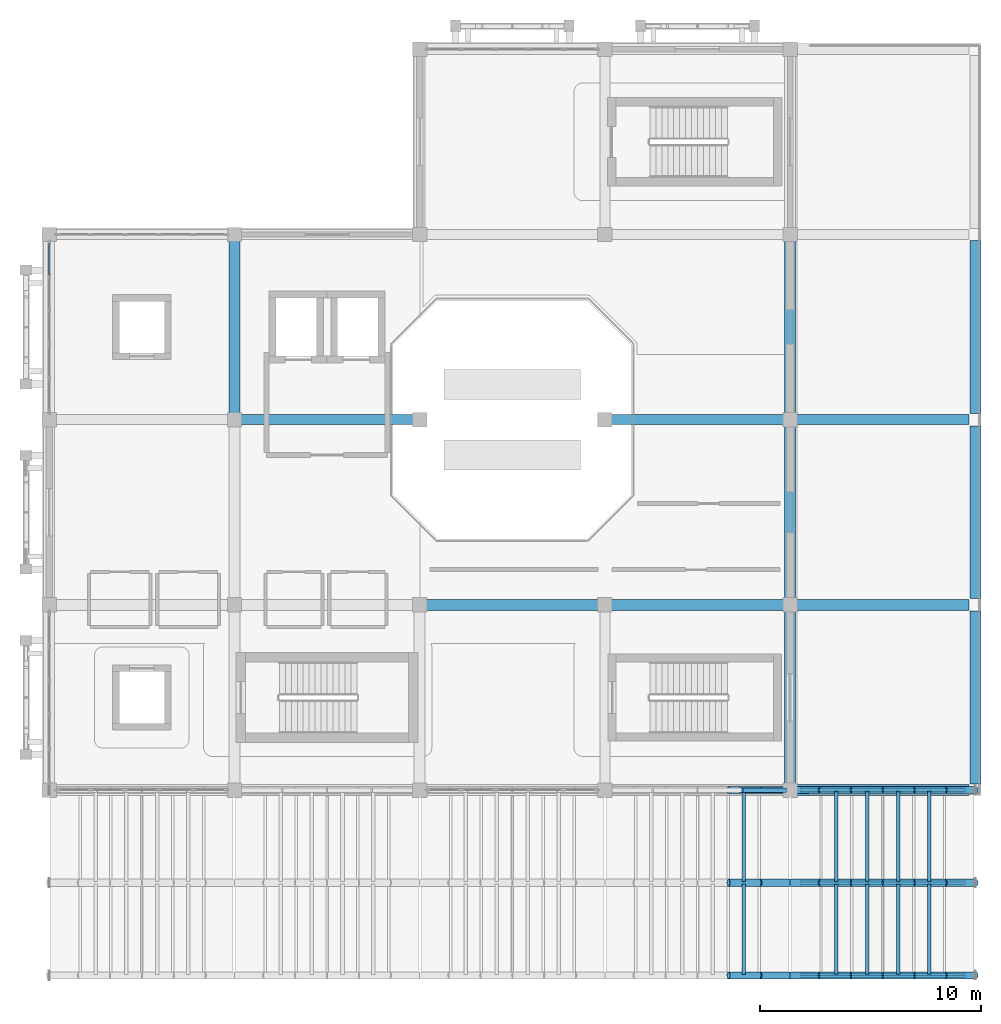
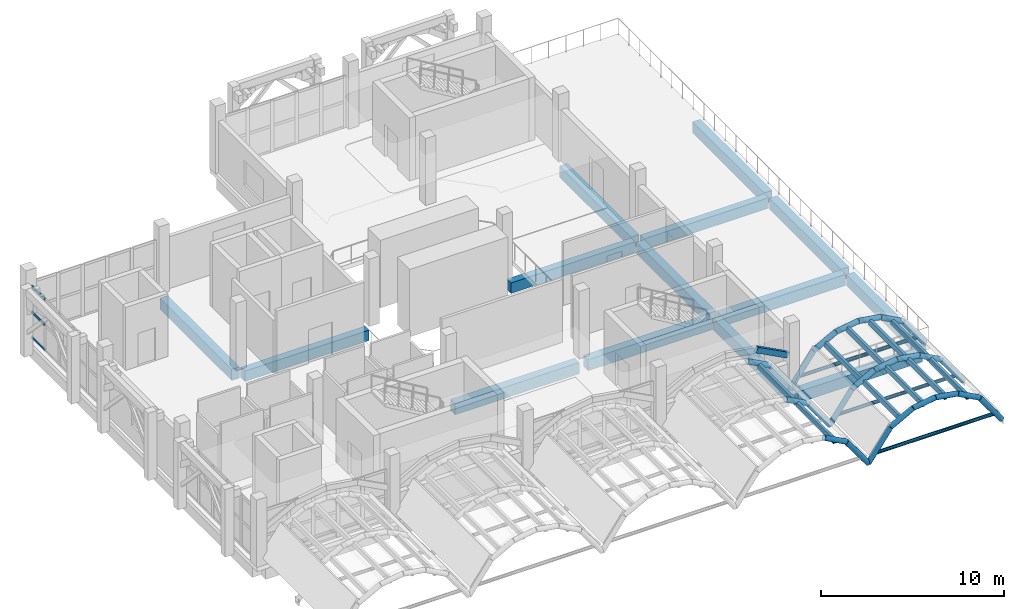
# One storey, part 8 of 22: 41 beams, 14 members, 1 element without a shape of its own.
"""IFC4 building model written with IfcOpenShell, lengths in metres."""

from ifc_helpers import new_model, si_unit, direction, frame, origin, origin_2d, place, context, subcontext, project, spatial, rectangle, hollow_rectangle, hollow_circle, extrude, material, layer, layer_set, material_profile, profile_set, type_object, element, aggregate, save


model = new_model("IFC4")

# Units and contexts
model_context = context("Model", 3, precision=1e-05, world=origin(), true_north=direction((0.0, 1.0)))
body_context = subcontext(model_context, "Body", "Model", "MODEL_VIEW")
ifc_project = project(units=[si_unit("LENGTHUNIT", "METRE"), si_unit("AREAUNIT", "SQUARE_METRE"), si_unit("VOLUMEUNIT", "CUBIC_METRE"), si_unit("PLANEANGLEUNIT", "RADIAN"), si_unit("MASSUNIT", "GRAM", prefix="KILO")], contexts=[model_context])

# Site, building, storey
site_placement = place(None, origin())
site = spatial("IfcSite", under=ifc_project, at=site_placement, CompositionType="ELEMENT")
building_placement = place(site_placement, origin())
building = spatial("IfcBuilding", under=site, at=building_placement, Name="Xazarin Passage Department Store", CompositionType="ELEMENT")
storey_placement = place(building_placement, frame((0.0, 0.0, 27.89990234375)))
storey = spatial("IfcBuildingStorey", under=building, at=storey_placement, Name="L06", CompositionType="ELEMENT", Elevation=27.89990234375)

# Curtain wall, members
ifc_material_1 = material(Name="Bronze anodised aluminium", Category="aluminium")
ifc_layer = layer(ifc_material_1, 0.199951171875)
ifc_layer_set = layer_set([ifc_layer], Name="Bronze anodised aluminium")
curtain_wall_type = type_object("IfcCurtainWallType", Name="ARC-CW-VIT2", PredefinedType="NOTDEFINED", material=ifc_layer_set)
curtain_wall_placement = place(storey_placement, origin())
curtain_wall = element("IfcCurtainWall", 1, at=curtain_wall_placement, inside=storey, type_object=curtain_wall_type, Name="L06 V1 Curtain Wall 090", PredefinedType="NOTDEFINED")
ifc_material_profile_1 = material_profile(ifc_material_1, hollow_rectangle(XDim=0.074951171875, YDim=0.159912109375, WallThickness=0.00439453125, at=origin_2d()), Name="ALU 75x160")
ifc_profile_set_1 = profile_set([ifc_material_profile_1], Name="Bronze anodised aluminium")
member_type_1 = type_object("IfcMemberType", Name="ARC-CWT-75x160", PredefinedType="USERDEFINED", material=ifc_profile_set_1)
member_1_placement = place(storey_placement, frame((0.0, 99.762451171875, 0.03759765625), z_axis=(0.0, 1.0, 0.0), x_axis=(-1.0, 0.0, 0.0)))
member_1 = element("IfcMember", 2, at=member_1_placement, type_object=member_type_1, Name="CW2 transom 5.1", ObjectType="TRANSOM", PredefinedType="USERDEFINED", context=body_context, shape_type="SweptSolid", body=[
    extrude(hollow_rectangle(XDim=0.074951171875, YDim=0.159912109375, WallThickness=0.00439453125, at=origin_2d()), origin(), (0.0, 0.0, 1.0), 1.4375),
])
member_2_placement = place(storey_placement, frame((0.0, 99.762451171875, 1.72509765625), z_axis=(0.0, 1.0, 0.0), x_axis=(-1.0, 0.0, 0.0)))
member_2 = element("IfcMember", 3, at=member_2_placement, type_object=member_type_1, Name="CW2 transom 5.2", ObjectType="TRANSOM", PredefinedType="USERDEFINED", context=body_context, shape_type="SweptSolid", body=[
    extrude(hollow_rectangle(XDim=0.074951171875, YDim=0.159912109375, WallThickness=0.00439453125, at=origin_2d()), origin(), (0.0, 0.0, 1.0), 1.4375),
])
member_3_placement = place(storey_placement, frame((0.0, 99.762451171875, 3.41259765625), z_axis=(0.0, 1.0, 0.0), x_axis=(-1.0, 0.0, 0.0)))
member_3 = element("IfcMember", 4, at=member_3_placement, type_object=member_type_1, Name="CW2 transom 5.3", ObjectType="TRANSOM", PredefinedType="USERDEFINED", context=body_context, shape_type="SweptSolid", body=[
    extrude(hollow_rectangle(XDim=0.074951171875, YDim=0.159912109375, WallThickness=0.00439453125, at=origin_2d()), origin(), (0.0, 0.0, 1.0), 1.4375),
])
aggregate(curtain_wall, [member_1, member_2, member_3])

# Beams
ifc_material_2 = material(Name="Steel S355", Category="steel")
ifc_material_profile_2 = material_profile(ifc_material_2, hollow_circle(Radius=0.161865234375, WallThickness=0.01611328125, at=origin_2d()), Name="CHS 323.9x16")
ifc_profile_set_2 = profile_set([ifc_material_profile_2], Name="Steel S355")
beam_type_1 = type_object("IfcBeamType", Name="STR-BM-AR324", PredefinedType="BEAM", material=ifc_profile_set_2)
beam_1_placement = place(storey_placement, frame((30.800048828125, 68.0, 2.67626953125), z_axis=(0.879928493742, 0.0, -0.475106141721), x_axis=(0.0, 1.0, 0.0)))
element("IfcBeam", 5, at=beam_1_placement, inside=storey, type_object=beam_type_1, Name="L06 V1S Curved Shell Arch Rib 4.1.5", PredefinedType="BEAM", context=body_context, shape_type="SweptSolid", body=[
    extrude(hollow_circle(Radius=0.161865234375, WallThickness=0.01611328125, at=origin_2d()), origin(), (0.0, 0.0, 1.0), 1.5908203125),
])
beam_2_placement = place(storey_placement, frame((32.199951171875, 68.0, 1.92041015625), z_axis=(0.589130239798, 0.0, -0.808038093505), x_axis=(0.0, 1.0, 0.0)))
element("IfcBeam", 6, at=beam_2_placement, inside=storey, type_object=beam_type_1, Name="L06 V1S Curved Shell Arch Rib 4.1.6", PredefinedType="BEAM", context=body_context, shape_type="SweptSolid", body=[
    extrude(hollow_circle(Radius=0.161865234375, WallThickness=0.01611328125, at=origin_2d()), origin(), (0.0, 0.0, 1.0), 2.376708984375),
])
beam_3_placement = place(storey_placement, frame((30.800048828125, 72.199951171875, 2.67626953125), z_axis=(0.879928493742, 0.0, -0.475106141721), x_axis=(0.0, 1.0, 0.0)))
element("IfcBeam", 7, at=beam_3_placement, inside=storey, type_object=beam_type_1, Name="L06 V1S Curved Shell Arch Rib 4.2.5", PredefinedType="BEAM", context=body_context, shape_type="SweptSolid", body=[
    extrude(hollow_circle(Radius=0.161865234375, WallThickness=0.01611328125, at=origin_2d()), origin(), (0.0, 0.0, 1.0), 1.5908203125),
])
beam_4_placement = place(storey_placement, frame((32.199951171875, 72.199951171875, 1.92041015625), z_axis=(0.589130239798, 0.0, -0.808038093505), x_axis=(0.0, 1.0, 0.0)))
element("IfcBeam", 8, at=beam_4_placement, inside=storey, type_object=beam_type_1, Name="L06 V1S Curved Shell Arch Rib 4.2.6", PredefinedType="BEAM", context=body_context, shape_type="SweptSolid", body=[
    extrude(hollow_circle(Radius=0.161865234375, WallThickness=0.01611328125, at=origin_2d()), origin(), (0.0, 0.0, 1.0), 2.376708984375),
])
beam_5_placement = place(storey_placement, frame((30.800048828125, 76.39990234375, 2.67626953125), z_axis=(0.879928493742, 0.0, -0.475106141721), x_axis=(0.0, 1.0, 0.0)))
element("IfcBeam", 9, at=beam_5_placement, inside=storey, type_object=beam_type_1, Name="L06 V1S Curved Shell Arch Rib 4.3.5", PredefinedType="BEAM", context=body_context, shape_type="SweptSolid", body=[
    extrude(hollow_circle(Radius=0.161865234375, WallThickness=0.01611328125, at=origin_2d()), origin(), (0.0, 0.0, 1.0), 1.5908203125),
])
beam_6_placement = place(storey_placement, frame((32.199951171875, 76.39990234375, 1.92041015625), z_axis=(0.589130239798, 0.0, -0.808038093505), x_axis=(0.0, 1.0, 0.0)))
element("IfcBeam", 10, at=beam_6_placement, inside=storey, type_object=beam_type_1, Name="L06 V1S Curved Shell Arch Rib 4.3.6", PredefinedType="BEAM", context=body_context, shape_type="SweptSolid", body=[
    extrude(hollow_circle(Radius=0.161865234375, WallThickness=0.01611328125, at=origin_2d()), origin(), (0.0, 0.0, 1.0), 2.376708984375),
])
beam_7_placement = place(storey_placement, frame((33.60009765625, 68.0, 0.0), z_axis=(0.589063161662, 0.0, 0.808086995053), x_axis=(0.0, 1.0, 0.0)))
element("IfcBeam", 11, at=beam_7_placement, inside=storey, type_object=beam_type_1, Name="L06 V1S Curved Shell Arch Rib 5.1.1", PredefinedType="BEAM", context=body_context, shape_type="SweptSolid", body=[
    extrude(hollow_circle(Radius=0.161865234375, WallThickness=0.01611328125, at=origin_2d()), origin(), (0.0, 0.0, 1.0), 2.37646484375),
])
beam_8_placement = place(storey_placement, frame((35.0, 68.0, 1.92041015625), z_axis=(0.879928493742, 0.0, 0.475106141721), x_axis=(0.0, 1.0, 0.0)))
element("IfcBeam", 12, at=beam_8_placement, inside=storey, type_object=beam_type_1, Name="L06 V1S Curved Shell Arch Rib 5.1.2", PredefinedType="BEAM", context=body_context, shape_type="SweptSolid", body=[
    extrude(hollow_circle(Radius=0.161865234375, WallThickness=0.01611328125, at=origin_2d()), origin(), (0.0, 0.0, 1.0), 1.5908203125),
])
beam_9_placement = place(storey_placement, frame((36.39990234375, 68.0, 2.67626953125), z_axis=(0.987456743544, 0.0, 0.157889770502), x_axis=(0.0, 1.0, 0.0)))
element("IfcBeam", 13, at=beam_9_placement, inside=storey, type_object=beam_type_1, Name="L06 V1S Curved Shell Arch Rib 5.1.3", PredefinedType="BEAM", context=body_context, shape_type="SweptSolid", body=[
    extrude(hollow_circle(Radius=0.161865234375, WallThickness=0.01611328125, at=origin_2d()), origin(), (0.0, 0.0, 1.0), 1.41796875),
])
beam_10_placement = place(storey_placement, frame((37.800048828125, 68.0, 2.900146484375), z_axis=(0.987452450124, 0.0, -0.157916619596), x_axis=(0.0, 1.0, 0.0)))
element("IfcBeam", 14, at=beam_10_placement, inside=storey, type_object=beam_type_1, Name="L06 V1S Curved Shell Arch Rib 5.1.4", PredefinedType="BEAM", context=body_context, shape_type="SweptSolid", body=[
    extrude(hollow_circle(Radius=0.161865234375, WallThickness=0.01611328125, at=origin_2d()), origin(), (0.0, 0.0, 1.0), 1.417724609375),
])
beam_11_placement = place(storey_placement, frame((39.199951171875, 68.0, 2.67626953125), z_axis=(0.879963126177, 0.0, -0.475041994532), x_axis=(0.0, 1.0, 0.0)))
element("IfcBeam", 15, at=beam_11_placement, inside=storey, type_object=beam_type_1, Name="L06 V1S Curved Shell Arch Rib 5.1.5", PredefinedType="BEAM", context=body_context, shape_type="SweptSolid", body=[
    extrude(hollow_circle(Radius=0.161865234375, WallThickness=0.01611328125, at=origin_2d()), origin(), (0.0, 0.0, 1.0), 1.591064453125),
])
for number, where, z_axis, x_axis, name in (
    (16, (40.60009765625, 68.0, 1.92041015625), (0.589063161662, 0.0, -0.808086995053), (0.0, 1.0, 0.0), "L06 V1S Curved Shell Arch Rib 5.1.6"),
    (17, (33.60009765625, 72.199951171875, 0.0), (0.589063161662, 0.0, 0.808086995053), (0.0, 1.0, 0.0), "L06 V1S Curved Shell Arch Rib 5.2.1"),
):
    element("IfcBeam", number, at=place(storey_placement, frame(where, z_axis=z_axis, x_axis=x_axis)), inside=storey, type_object=beam_type_1, Name=name, PredefinedType="BEAM", context=body_context, shape_type="SweptSolid", body=[
        extrude(hollow_circle(Radius=0.161865234375, WallThickness=0.01611328125, at=origin_2d()), origin(), (0.0, 0.0, 1.0), 2.37646484375),
    ])
beam_12_placement = place(storey_placement, frame((35.0, 72.199951171875, 1.92041015625), z_axis=(0.879928493742, 0.0, 0.475106141721), x_axis=(0.0, 1.0, 0.0)))
element("IfcBeam", 18, at=beam_12_placement, inside=storey, type_object=beam_type_1, Name="L06 V1S Curved Shell Arch Rib 5.2.2", PredefinedType="BEAM", context=body_context, shape_type="SweptSolid", body=[
    extrude(hollow_circle(Radius=0.161865234375, WallThickness=0.01611328125, at=origin_2d()), origin(), (0.0, 0.0, 1.0), 1.5908203125),
])
beam_13_placement = place(storey_placement, frame((36.39990234375, 72.199951171875, 2.67626953125), z_axis=(0.987456743544, 0.0, 0.157889770502), x_axis=(0.0, 1.0, 0.0)))
element("IfcBeam", 19, at=beam_13_placement, inside=storey, type_object=beam_type_1, Name="L06 V1S Curved Shell Arch Rib 5.2.3", PredefinedType="BEAM", context=body_context, shape_type="SweptSolid", body=[
    extrude(hollow_circle(Radius=0.161865234375, WallThickness=0.01611328125, at=origin_2d()), origin(), (0.0, 0.0, 1.0), 1.41796875),
])
beam_14_placement = place(storey_placement, frame((37.800048828125, 72.199951171875, 2.900146484375), z_axis=(0.987452450124, 0.0, -0.157916619596), x_axis=(0.0, 1.0, 0.0)))
element("IfcBeam", 20, at=beam_14_placement, inside=storey, type_object=beam_type_1, Name="L06 V1S Curved Shell Arch Rib 5.2.4", PredefinedType="BEAM", context=body_context, shape_type="SweptSolid", body=[
    extrude(hollow_circle(Radius=0.161865234375, WallThickness=0.01611328125, at=origin_2d()), origin(), (0.0, 0.0, 1.0), 1.417724609375),
])
beam_15_placement = place(storey_placement, frame((39.199951171875, 72.199951171875, 2.67626953125), z_axis=(0.879963126177, 0.0, -0.475041994532), x_axis=(0.0, 1.0, 0.0)))
element("IfcBeam", 21, at=beam_15_placement, inside=storey, type_object=beam_type_1, Name="L06 V1S Curved Shell Arch Rib 5.2.5", PredefinedType="BEAM", context=body_context, shape_type="SweptSolid", body=[
    extrude(hollow_circle(Radius=0.161865234375, WallThickness=0.01611328125, at=origin_2d()), origin(), (0.0, 0.0, 1.0), 1.591064453125),
])
for number, where, z_axis, x_axis, name in (
    (22, (40.60009765625, 72.199951171875, 1.92041015625), (0.589063161662, 0.0, -0.808086995053), (0.0, 1.0, 0.0), "L06 V1S Curved Shell Arch Rib 5.2.6"),
    (23, (33.60009765625, 76.39990234375, 0.0), (0.589063161662, 0.0, 0.808086995053), (0.0, 1.0, 0.0), "L06 V1S Curved Shell Arch Rib 5.3.1"),
):
    element("IfcBeam", number, at=place(storey_placement, frame(where, z_axis=z_axis, x_axis=x_axis)), inside=storey, type_object=beam_type_1, Name=name, PredefinedType="BEAM", context=body_context, shape_type="SweptSolid", body=[
        extrude(hollow_circle(Radius=0.161865234375, WallThickness=0.01611328125, at=origin_2d()), origin(), (0.0, 0.0, 1.0), 2.37646484375),
    ])
beam_16_placement = place(storey_placement, frame((35.0, 76.39990234375, 1.92041015625), z_axis=(0.879928493742, 0.0, 0.475106141721), x_axis=(0.0, 1.0, 0.0)))
element("IfcBeam", 24, at=beam_16_placement, inside=storey, type_object=beam_type_1, Name="L06 V1S Curved Shell Arch Rib 5.3.2", PredefinedType="BEAM", context=body_context, shape_type="SweptSolid", body=[
    extrude(hollow_circle(Radius=0.161865234375, WallThickness=0.01611328125, at=origin_2d()), origin(), (0.0, 0.0, 1.0), 1.5908203125),
])
beam_17_placement = place(storey_placement, frame((36.39990234375, 76.39990234375, 2.67626953125), z_axis=(0.987456743544, 0.0, 0.157889770502), x_axis=(0.0, 1.0, 0.0)))
element("IfcBeam", 25, at=beam_17_placement, inside=storey, type_object=beam_type_1, Name="L06 V1S Curved Shell Arch Rib 5.3.3", PredefinedType="BEAM", context=body_context, shape_type="SweptSolid", body=[
    extrude(hollow_circle(Radius=0.161865234375, WallThickness=0.01611328125, at=origin_2d()), origin(), (0.0, 0.0, 1.0), 1.41796875),
])
beam_18_placement = place(storey_placement, frame((37.800048828125, 76.39990234375, 2.900146484375), z_axis=(0.987452450124, 0.0, -0.157916619596), x_axis=(0.0, 1.0, 0.0)))
element("IfcBeam", 26, at=beam_18_placement, inside=storey, type_object=beam_type_1, Name="L06 V1S Curved Shell Arch Rib 5.3.4", PredefinedType="BEAM", context=body_context, shape_type="SweptSolid", body=[
    extrude(hollow_circle(Radius=0.161865234375, WallThickness=0.01611328125, at=origin_2d()), origin(), (0.0, 0.0, 1.0), 1.417724609375),
])
beam_19_placement = place(storey_placement, frame((39.199951171875, 76.39990234375, 2.67626953125), z_axis=(0.879963126177, 0.0, -0.475041994532), x_axis=(0.0, 1.0, 0.0)))
element("IfcBeam", 27, at=beam_19_placement, inside=storey, type_object=beam_type_1, Name="L06 V1S Curved Shell Arch Rib 5.3.5", PredefinedType="BEAM", context=body_context, shape_type="SweptSolid", body=[
    extrude(hollow_circle(Radius=0.161865234375, WallThickness=0.01611328125, at=origin_2d()), origin(), (0.0, 0.0, 1.0), 1.591064453125),
])
beam_20_placement = place(storey_placement, frame((40.60009765625, 76.39990234375, 1.92041015625), z_axis=(0.589063161662, 0.0, -0.808086995053), x_axis=(0.0, 1.0, 0.0)))
element("IfcBeam", 28, at=beam_20_placement, inside=storey, type_object=beam_type_1, Name="L06 V1S Curved Shell Arch Rib 5.3.6", PredefinedType="BEAM", context=body_context, shape_type="SweptSolid", body=[
    extrude(hollow_circle(Radius=0.161865234375, WallThickness=0.01611328125, at=origin_2d()), origin(), (0.0, 0.0, 1.0), 2.37646484375),
])
ifc_material_3 = material(Name="Concrete C35/45", Category="concrete")
ifc_material_profile_3 = material_profile(ifc_material_3, rectangle(XDim=0.449951171875, YDim=0.699951171875, at=origin_2d()), Name="RC 450x700")
ifc_profile_set_3 = profile_set([ifc_material_profile_3], Name="Concrete C35/45")
beam_type_2 = type_object("IfcBeamType", Name="STR-BM-G450x700", PredefinedType="BEAM", material=ifc_profile_set_3)
for number, where, z_axis, x_axis, name in (
    (29, (8.679931640625, 93.199951171875, -0.64990234375), (1.0, 0.0, 0.0), (0.0, 1.0, 0.0), "L06 Grid Beam N/2-3"),
    (30, (25.47998046875, 93.199951171875, -0.64990234375), (1.0, 0.0, 0.0), (0.0, 1.0, 0.0), "L06 Grid Beam N/4-5"),
    (31, (33.8798828125, 93.199951171875, -0.64990234375), (1.0, 0.0, 0.0), (0.0, 1.0, 0.0), "L06 Grid Beam N/5-6"),
):
    element("IfcBeam", number, at=place(storey_placement, frame(where, z_axis=z_axis, x_axis=x_axis)), inside=storey, type_object=beam_type_2, Name=name, PredefinedType="BEAM", context=body_context, shape_type="SweptSolid", body=[
        extrude(rectangle(XDim=0.449951171875, YDim=0.699951171875, at=origin_2d()), origin(), (0.0, 0.0, 1.0), 7.840087890625),
    ])
ifc_material_profile_4 = material_profile(ifc_material_3, rectangle(XDim=0.5, YDim=0.75, at=origin_2d()), Name="RC 500x750")
ifc_profile_set_4 = profile_set([ifc_material_profile_4], Name="Concrete C35/45")
beam_type_3 = type_object("IfcBeamType", Name="STR-BM-SP500x750", PredefinedType="SPANDREL", material=ifc_profile_set_4)
beam_21_placement = place(storey_placement, frame((33.8798828125, 76.39990234375, -0.6748046875), z_axis=(1.0, 0.0, 0.0), x_axis=(0.0, 1.0, 0.0)))
element("IfcBeam", 32, at=beam_21_placement, inside=storey, type_object=beam_type_3, Name="L06 Grid Beam L/5-6", PredefinedType="SPANDREL", context=body_context, shape_type="SweptSolid", body=[
    extrude(rectangle(XDim=0.5, YDim=0.75, at=origin_2d()), origin(), (0.0, 0.0, 1.0), 7.840087890625),
])
beam_22_placement = place(storey_placement, frame((17.080078125, 84.800048828125, -0.6748046875), z_axis=(1.0, 0.0, 0.0), x_axis=(0.0, 1.0, 0.0)))
element("IfcBeam", 33, at=beam_22_placement, inside=storey, type_object=beam_type_3, Name="L06 Grid Beam M/3-4", PredefinedType="SPANDREL", context=body_context, shape_type="SweptSolid", body=[
    extrude(rectangle(XDim=0.5, YDim=0.75, at=origin_2d()), origin(), (0.0, 0.0, 1.0), 7.83984375),
])
for number, where, z_axis, x_axis, name in (
    (34, (25.47998046875, 84.800048828125, -0.6748046875), (1.0, 0.0, 0.0), (0.0, 1.0, 0.0), "L06 Grid Beam M/4-5"),
    (35, (33.8798828125, 84.800048828125, -0.6748046875), (1.0, 0.0, 0.0), (0.0, 1.0, 0.0), "L06 Grid Beam M/5-6"),
    (36, (8.39990234375, 93.47998046875, -0.6748046875), (0.0, 1.0, 0.0), (-1.0, 0.0, 0.0), "L06 Grid Beam 2/N-P"),
    (37, (33.60009765625, 76.679931640625, -0.6748046875), (0.0, 1.0, 0.0), (-1.0, 0.0, 0.0), "L06 Grid Beam 5/L-M"),
):
    element("IfcBeam", number, at=place(storey_placement, frame(where, z_axis=z_axis, x_axis=x_axis)), inside=storey, type_object=beam_type_3, Name=name, PredefinedType="SPANDREL", context=body_context, shape_type="SweptSolid", body=[
        extrude(rectangle(XDim=0.5, YDim=0.75, at=origin_2d()), origin(), (0.0, 0.0, 1.0), 7.840087890625),
    ])
beam_23_placement = place(storey_placement, frame((33.60009765625, 85.080078125, -0.6748046875), z_axis=(0.0, 1.0, 0.0), x_axis=(-1.0, 0.0, 0.0)))
element("IfcBeam", 38, at=beam_23_placement, inside=storey, type_object=beam_type_3, Name="L06 Grid Beam 5/M-N", PredefinedType="SPANDREL", context=body_context, shape_type="SweptSolid", body=[
    extrude(rectangle(XDim=0.5, YDim=0.75, at=origin_2d()), origin(), (0.0, 0.0, 1.0), 7.83984375),
])
for number, where, z_axis, x_axis, name in (
    (39, (33.60009765625, 93.47998046875, -0.6748046875), (0.0, 1.0, 0.0), (-1.0, 0.0, 0.0), "L06 Grid Beam 5/N-P"),
    (40, (42.0, 76.679931640625, -0.6748046875), (0.0, 1.0, 0.0), (-1.0, 0.0, 0.0), "L06 Grid Beam 6/L-M"),
):
    element("IfcBeam", number, at=place(storey_placement, frame(where, z_axis=z_axis, x_axis=x_axis)), inside=storey, type_object=beam_type_3, Name=name, PredefinedType="SPANDREL", context=body_context, shape_type="SweptSolid", body=[
        extrude(rectangle(XDim=0.5, YDim=0.75, at=origin_2d()), origin(), (0.0, 0.0, 1.0), 7.840087890625),
    ])
beam_24_placement = place(storey_placement, frame((42.0, 85.080078125, -0.6748046875), z_axis=(0.0, 1.0, 0.0), x_axis=(-1.0, 0.0, 0.0)))
element("IfcBeam", 41, at=beam_24_placement, inside=storey, type_object=beam_type_3, Name="L06 Grid Beam 6/M-N", PredefinedType="SPANDREL", context=body_context, shape_type="SweptSolid", body=[
    extrude(rectangle(XDim=0.5, YDim=0.75, at=origin_2d()), origin(), (0.0, 0.0, 1.0), 7.83984375),
])
beam_25_placement = place(storey_placement, frame((42.0, 93.47998046875, -0.6748046875), z_axis=(0.0, 1.0, 0.0), x_axis=(-1.0, 0.0, 0.0)))
element("IfcBeam", 42, at=beam_25_placement, inside=storey, type_object=beam_type_3, Name="L06 Grid Beam 6/N-P", PredefinedType="SPANDREL", context=body_context, shape_type="SweptSolid", body=[
    extrude(rectangle(XDim=0.5, YDim=0.75, at=origin_2d()), origin(), (0.0, 0.0, 1.0), 7.840087890625),
])
ifc_material_profile_5 = material_profile(ifc_material_2, hollow_circle(Radius=0.109619140625, WallThickness=0.012451171875, at=origin_2d()), Name="CHS 219.1x12.5")
ifc_profile_set_5 = profile_set([ifc_material_profile_5], Name="Steel S355")
beam_type_4 = type_object("IfcBeamType", Name="STR-BM-TIE219", PredefinedType="BEAM", material=ifc_profile_set_5)
for number, where, z_axis, x_axis, name in (
    (43, (34.050048828125, 68.0, 0.52001953125), (1.0, 0.0, 0.0), (0.0, 1.0, 0.0), "L06 V1S Barrel Shell Tie 5.1"),
    (44, (34.050048828125, 72.199951171875, 0.52001953125), (1.0, 0.0, 0.0), (0.0, 1.0, 0.0), "L06 V1S Barrel Shell Tie 5.2"),
    (45, (34.050048828125, 76.39990234375, 0.52001953125), (1.0, 0.0, 0.0), (0.0, 1.0, 0.0), "L06 V1S Barrel Shell Tie 5.3"),
):
    element("IfcBeam", number, at=place(storey_placement, frame(where, z_axis=z_axis, x_axis=x_axis)), inside=storey, type_object=beam_type_4, Name=name, PredefinedType="BEAM", context=body_context, shape_type="SweptSolid", body=[
        extrude(hollow_circle(Radius=0.109619140625, WallThickness=0.012451171875, at=origin_2d()), origin(), (0.0, 0.0, 1.0), 7.5),
    ])

# Members
ifc_material_4 = material(Name="Concrete C40/50", Category="concrete")
ifc_material_profile_6 = material_profile(ifc_material_4, rectangle(XDim=0.199951171875, YDim=0.360107421875, at=origin_2d()), Name="RC 200x360")
ifc_profile_set_6 = profile_set([ifc_material_profile_6], Name="Concrete C40/50")
member_type_2 = type_object("IfcMemberType", Name="STR-MEM-ARC360", PredefinedType="CHORD", material=ifc_profile_set_6)
member_4_placement = place(storey_placement, frame((31.375, 76.39990234375, 3.2705078125), z_axis=(0.88473311603, 0.0, -0.466097965454), x_axis=(0.0, 1.0, 0.0)))
element("IfcMember", 46, at=member_4_placement, inside=storey, type_object=member_type_2, Name="L06 V1 Upper Setback Pierced Arch 040.4", PredefinedType="CHORD", context=body_context, shape_type="SweptSolid", body=[
    extrude(rectangle(XDim=0.199951171875, YDim=0.360107421875, at=origin_2d()), origin(), (0.0, 0.0, 1.0), 2.232421875),
])
ifc_material_5 = material(Name="Glulam GL28h", Category="wood")
ifc_material_profile_7 = material_profile(ifc_material_5, rectangle(XDim=0.159912109375, YDim=0.360107421875, at=origin_2d()), Name="GL28h 160x360")
ifc_profile_set_7 = profile_set([ifc_material_profile_7], Name="Glulam GL28h")
member_type_3 = type_object("IfcMemberType", Name="STR-MEM-GL360", PredefinedType="PURLIN", material=ifc_profile_set_7)
member_5_placement = place(storey_placement, frame((31.5, 68.050048828125, 2.178466796875), z_axis=(0.0, 1.0, 0.0), x_axis=(-1.0, 0.0, 0.0)))
element("IfcMember", 47, at=member_5_placement, inside=storey, type_object=member_type_3, Name="L06 V1S Barrel Shell Purlin 4.5.1", PredefinedType="PURLIN", context=body_context, shape_type="SweptSolid", body=[
    extrude(rectangle(XDim=0.159912109375, YDim=0.360107421875, at=origin_2d()), origin(), (0.0, 0.0, 1.0), 4.099853515625),
])
member_6_placement = place(storey_placement, frame((31.5, 72.25, 2.178466796875), z_axis=(0.0, 1.0, 0.0), x_axis=(-1.0, 0.0, 0.0)))
element("IfcMember", 48, at=member_6_placement, inside=storey, type_object=member_type_3, Name="L06 V1S Barrel Shell Purlin 4.5.2", PredefinedType="PURLIN", context=body_context, shape_type="SweptSolid", body=[
    extrude(rectangle(XDim=0.159912109375, YDim=0.360107421875, at=origin_2d()), origin(), (0.0, 0.0, 1.0), 4.10009765625),
])
member_7_placement = place(storey_placement, frame((35.699951171875, 68.050048828125, 2.178466796875), z_axis=(0.0, 1.0, 0.0), x_axis=(-1.0, 0.0, 0.0)))
element("IfcMember", 49, at=member_7_placement, inside=storey, type_object=member_type_3, Name="L06 V1S Barrel Shell Purlin 5.2.1", PredefinedType="PURLIN", context=body_context, shape_type="SweptSolid", body=[
    extrude(rectangle(XDim=0.159912109375, YDim=0.360107421875, at=origin_2d()), origin(), (0.0, 0.0, 1.0), 4.099853515625),
])
member_8_placement = place(storey_placement, frame((35.699951171875, 72.25, 2.178466796875), z_axis=(0.0, 1.0, 0.0), x_axis=(-1.0, 0.0, 0.0)))
element("IfcMember", 50, at=member_8_placement, inside=storey, type_object=member_type_3, Name="L06 V1S Barrel Shell Purlin 5.2.2", PredefinedType="PURLIN", context=body_context, shape_type="SweptSolid", body=[
    extrude(rectangle(XDim=0.159912109375, YDim=0.360107421875, at=origin_2d()), origin(), (0.0, 0.0, 1.0), 4.10009765625),
])
member_9_placement = place(storey_placement, frame((37.10009765625, 68.050048828125, 2.668212890625), z_axis=(0.0, 1.0, 0.0), x_axis=(-1.0, 0.0, 0.0)))
element("IfcMember", 51, at=member_9_placement, inside=storey, type_object=member_type_3, Name="L06 V1S Barrel Shell Purlin 5.3.1", PredefinedType="PURLIN", context=body_context, shape_type="SweptSolid", body=[
    extrude(rectangle(XDim=0.159912109375, YDim=0.360107421875, at=origin_2d()), origin(), (0.0, 0.0, 1.0), 4.099853515625),
])
member_10_placement = place(storey_placement, frame((37.10009765625, 72.25, 2.668212890625), z_axis=(0.0, 1.0, 0.0), x_axis=(-1.0, 0.0, 0.0)))
element("IfcMember", 52, at=member_10_placement, inside=storey, type_object=member_type_3, Name="L06 V1S Barrel Shell Purlin 5.3.2", PredefinedType="PURLIN", context=body_context, shape_type="SweptSolid", body=[
    extrude(rectangle(XDim=0.159912109375, YDim=0.360107421875, at=origin_2d()), origin(), (0.0, 0.0, 1.0), 4.10009765625),
])
member_11_placement = place(storey_placement, frame((38.5, 68.050048828125, 2.668212890625), z_axis=(0.0, 1.0, 0.0), x_axis=(-1.0, 0.0, 0.0)))
element("IfcMember", 53, at=member_11_placement, inside=storey, type_object=member_type_3, Name="L06 V1S Barrel Shell Purlin 5.4.1", PredefinedType="PURLIN", context=body_context, shape_type="SweptSolid", body=[
    extrude(rectangle(XDim=0.159912109375, YDim=0.360107421875, at=origin_2d()), origin(), (0.0, 0.0, 1.0), 4.099853515625),
])
member_12_placement = place(storey_placement, frame((38.5, 72.25, 2.668212890625), z_axis=(0.0, 1.0, 0.0), x_axis=(-1.0, 0.0, 0.0)))
element("IfcMember", 54, at=member_12_placement, inside=storey, type_object=member_type_3, Name="L06 V1S Barrel Shell Purlin 5.4.2", PredefinedType="PURLIN", context=body_context, shape_type="SweptSolid", body=[
    extrude(rectangle(XDim=0.159912109375, YDim=0.360107421875, at=origin_2d()), origin(), (0.0, 0.0, 1.0), 4.10009765625),
])
member_13_placement = place(storey_placement, frame((39.89990234375, 68.050048828125, 2.178466796875), z_axis=(0.0, 1.0, 0.0), x_axis=(-1.0, 0.0, 0.0)))
element("IfcMember", 55, at=member_13_placement, inside=storey, type_object=member_type_3, Name="L06 V1S Barrel Shell Purlin 5.5.1", PredefinedType="PURLIN", context=body_context, shape_type="SweptSolid", body=[
    extrude(rectangle(XDim=0.159912109375, YDim=0.360107421875, at=origin_2d()), origin(), (0.0, 0.0, 1.0), 4.099853515625),
])
member_14_placement = place(storey_placement, frame((39.89990234375, 72.25, 2.178466796875), z_axis=(0.0, 1.0, 0.0), x_axis=(-1.0, 0.0, 0.0)))
element("IfcMember", 56, at=member_14_placement, inside=storey, type_object=member_type_3, Name="L06 V1S Barrel Shell Purlin 5.5.2", PredefinedType="PURLIN", context=body_context, shape_type="SweptSolid", body=[
    extrude(rectangle(XDim=0.159912109375, YDim=0.360107421875, at=origin_2d()), origin(), (0.0, 0.0, 1.0), 4.10009765625),
])

save(model, "model.ifc")
